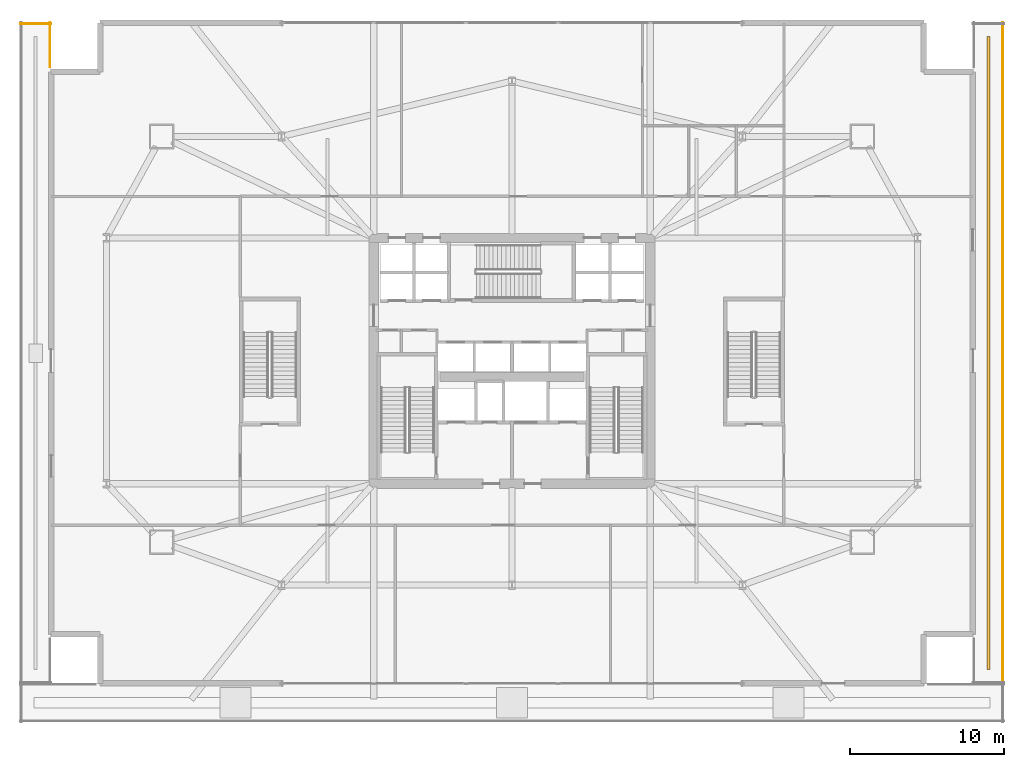
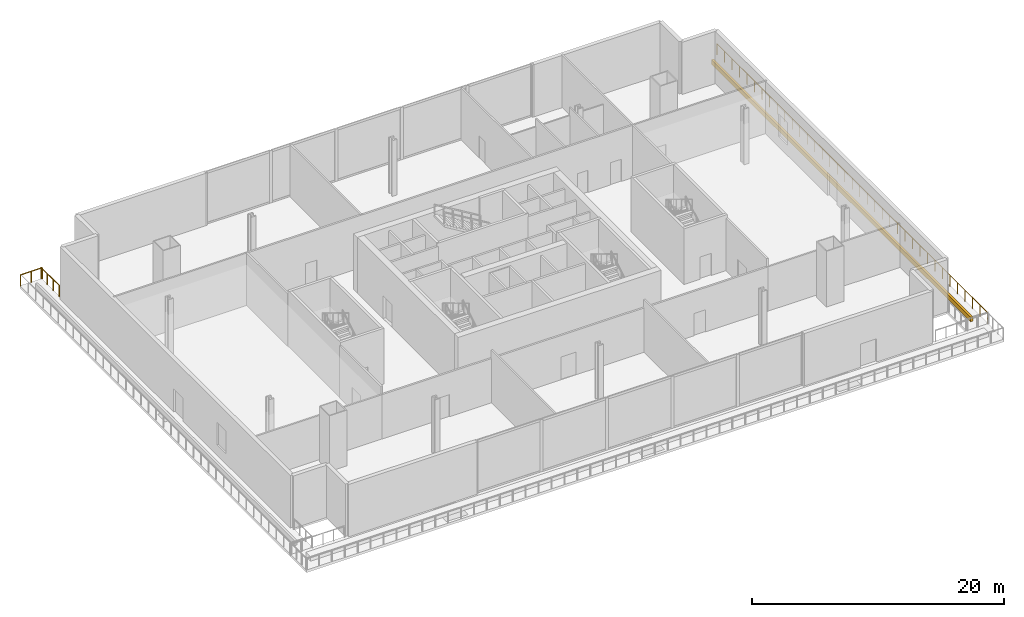
# One storey, part 19 of 20: 3 railings, 1 covering.
"""IFC4 building model written with IfcOpenShell, lengths in metres."""

import ifcopenshell
import ifcopenshell.guid

model = None  # the IFC model being written
_history = None  # IfcOwnerHistory: only IFC2X3 demands one
_inside = {}  # id of a spatial element -> (the spatial element, [elements in it])
_under = {}  # id of a project, library or spatial element -> (it, [spatial elements below it])
_declared = {}  # id of a project -> (the project, [libraries it declares])
_typed = {}  # id of a type object -> (the type object, [elements of that type])
_made_of = {}  # id of a material, layer set ... -> (it, [elements and type objects made of it])


def new_model(schema):
    """Start an empty IFC model of exactly this schema.

    Asked for "IFC4X3", IfcOpenShell would pick the latest addendum, in which some entities
    have other attributes; the version numbers below select the first issue.
    IFC2X3 requires an IfcOwnerHistory on every rooted entity: one is made here for all.
    """
    global model, _history
    if schema == "IFC4X3":
        model = ifcopenshell.file(schema_version=(4, 3, 0, 0))
    else:
        model = ifcopenshell.file(schema=schema)
    _inside.clear()
    _under.clear()
    _declared.clear()
    _typed.clear()
    _made_of.clear()
    _history = None
    if model.schema == "IFC2X3":
        org = make("IfcOrganization", Name="unknown")
        user = make(
            "IfcPersonAndOrganization",
            ThePerson=make("IfcPerson", FamilyName="unknown"),
            TheOrganization=org,
        )
        app = make(
            "IfcApplication",
            ApplicationDeveloper=org,
            Version="unknown",
            ApplicationFullName="unknown",
            ApplicationIdentifier="unknown",
        )
        _history = make(
            "IfcOwnerHistory",
            OwningUser=user,
            OwningApplication=app,
            ChangeAction="ADDED",
            CreationDate=0,
        )
    return model


def make(cls, **values):
    """One entity of the class cls with the attributes given. An attribute that is None is left unset."""
    return model.create_entity(
        cls, **{name: value for name, value in values.items() if value is not None}
    )


def rooted(cls, **values):
    """An entity with a GlobalId (a new one), such as an element, a storey or a relation."""
    return make(cls, GlobalId=ifcopenshell.guid.new(), OwnerHistory=_history, **values)


def si_unit(unit_type, name, prefix=None):
    """IfcSIUnit, for example si_unit("LENGTHUNIT", "METRE", prefix="MILLI")."""
    return make("IfcSIUnit", UnitType=unit_type, Prefix=prefix, Name=name)


def assignment(units):
    """IfcUnitAssignment: the units of a project."""
    return None if units is None else make("IfcUnitAssignment", Units=units)


def point(xyz):
    """IfcCartesianPoint."""
    return None if xyz is None else make("IfcCartesianPoint", Coordinates=xyz)


def direction(xyz):
    """IfcDirection."""
    return None if xyz is None else make("IfcDirection", DirectionRatios=xyz)


def frame(location, z_axis=None, x_axis=None):
    """IfcAxis2Placement3D, a coordinate frame: its origin and axes. An axis left out is left unset."""
    return make(
        "IfcAxis2Placement3D",
        Location=point(location),
        Axis=direction(z_axis),
        RefDirection=direction(x_axis),
    )


def frame_2d(location, x_axis=None):
    """IfcAxis2Placement2D, a coordinate frame in the plane: its origin and x axis."""
    return make(
        "IfcAxis2Placement2D", Location=point(location), RefDirection=direction(x_axis)
    )


def origin():
    """The frame at (0, 0, 0) with its axes left unset."""
    return frame((0.0, 0.0, 0.0))


def origin_2d():
    """The frame at (0, 0) in the plane with its x axis left unset."""
    return frame_2d((0.0, 0.0))


def place(relative_to, where):
    """IfcLocalPlacement: puts the frame where relative to a parent placement (None: the world)."""
    return make(
        "IfcLocalPlacement", PlacementRelTo=relative_to, RelativePlacement=where
    )


def context(
    kind, dimensions, precision=None, world=None, true_north=None, identifier=None
):
    """IfcGeometricRepresentationContext, for example the 3D "Model" context."""
    return make(
        "IfcGeometricRepresentationContext",
        ContextIdentifier=identifier,
        ContextType=kind,
        CoordinateSpaceDimension=dimensions,
        Precision=precision,
        WorldCoordinateSystem=world,
        TrueNorth=true_north,
    )


def subcontext(parent, identifier, kind, view, scale=None):
    """IfcGeometricRepresentationSubContext, for example "Body" below "Model"."""
    return make(
        "IfcGeometricRepresentationSubContext",
        ContextIdentifier=identifier,
        ContextType=kind,
        ParentContext=parent,
        TargetScale=scale,
        TargetView=view,
    )


def project(units=None, contexts=None):
    """IfcProject with its units and contexts."""
    return rooted(
        "IfcProject",
        Name="project",
        RepresentationContexts=contexts,
        UnitsInContext=assignment(units),
    )


def spatial(cls, under=None, at=None, **own):
    """A site, building, storey or space (cls), placed at a placement, below another one or the project."""
    s = rooted(cls, ObjectPlacement=at, **own)
    if under is not None:
        _under.setdefault(under.id(), (under, []))[1].append(s)
    return s


def polyline(points):
    """IfcPolyline through the points."""
    return make("IfcPolyline", Points=[point(p) for p in points])


def profile(cls, at=None, kind="AREA", **sizes):
    """A parametric profile (cls). Its sizes go by their IFC names, for example OverallWidth=200.0."""
    return make(cls, ProfileType=kind, Position=at, **sizes)


def rectangle(**sizes):
    """IfcRectangleProfileDef."""
    return profile("IfcRectangleProfileDef", **sizes)


def outline(outer, holes=None, kind="AREA"):
    """IfcArbitraryClosedProfileDef: a profile drawn as a closed curve; with holes, ...WithVoids."""
    if holes is None:
        return make("IfcArbitraryClosedProfileDef", ProfileType=kind, OuterCurve=outer)
    return make(
        "IfcArbitraryProfileDefWithVoids",
        ProfileType=kind,
        OuterCurve=outer,
        InnerCurves=holes,
    )


def extrude(swept, where, along, depth):
    """IfcExtrudedAreaSolid: the profile swept, set in the frame where, extruded along a direction by depth."""
    return make(
        "IfcExtrudedAreaSolid",
        SweptArea=swept,
        Position=where,
        ExtrudedDirection=direction(along),
        Depth=depth,
    )


def shape(context_of_items, identifier, shape_type, items):
    """IfcShapeRepresentation: the items that make up one representation, for example the "Body"."""
    return make(
        "IfcShapeRepresentation",
        ContextOfItems=context_of_items,
        RepresentationIdentifier=identifier,
        RepresentationType=shape_type,
        Items=items,
    )


def material(Name=None, Category=None):
    """IfcMaterial."""
    return make("IfcMaterial", Name=Name, Category=Category)


def layer(
    of_material, thickness, ventilated=None, Name=None, Category=None, Priority=None
):
    """IfcMaterialLayer: one layer of a wall or slab, of a material (None: an air gap)."""
    return make(
        "IfcMaterialLayer",
        Material=of_material,
        LayerThickness=thickness,
        IsVentilated=ventilated,
        Name=Name,
        Category=Category,
        Priority=Priority,
    )


def layer_set(layers, Name=None):
    """IfcMaterialLayerSet."""
    return make("IfcMaterialLayerSet", MaterialLayers=layers, LayerSetName=Name)


def made_of(thing, what):
    """Note that an element or type object is made of a material, layer set ...; save() writes the relation."""
    if what is not None:
        _made_of.setdefault(what.id(), (what, []))[1].append(thing)
    return thing


def type_object(cls, material=None, **own):
    """A type object (cls), such as IfcWallType, which elements share."""
    return made_of(rooted(cls, **own), material)


def element(
    cls,
    number,
    at=None,
    inside=None,
    cuts=None,
    type_object=None,
    material=None,
    context=None,
    identifier="Body",
    shape_type=None,
    held_by="IfcProductDefinitionShape",
    body=None,
    shapes=None,
    **own,
):
    """One element of the class cls, such as IfcWall. Its Tag is "e" and its number.

    at: its placement. inside: the storey or other place that contains it. cuts: it is an
    opening in that element (IfcRelVoidsElement). A single representation is given by context,
    identifier, shape_type and body (its items); several are given by shapes. held_by: the class
    of the entity that holds the representations. save() writes the other relations.
    """
    e = rooted(cls, Tag="e%d" % number, ObjectPlacement=at, **own)
    if body is not None:
        shapes = [shape(context, identifier, shape_type, body)]
    if shapes is not None:
        e.Representation = make(held_by, Representations=shapes)
    if inside is not None:
        _inside.setdefault(inside.id(), (inside, []))[1].append(e)
    if cuts is not None:
        rooted(
            "IfcRelVoidsElement", RelatingBuildingElement=cuts, RelatedOpeningElement=e
        )
    if type_object is not None:
        _typed.setdefault(type_object.id(), (type_object, []))[1].append(e)
    return made_of(e, material)


def aggregate(whole, parts):
    """IfcRelAggregates: a whole, such as a stair, and the parts it consists of."""
    return rooted("IfcRelAggregates", RelatingObject=whole, RelatedObjects=parts)


def save(model, path):
    """Write the relations noted so far, then the file.

    IfcRelAggregates (storeys below a building ...), IfcRelContainedInSpatialStructure (elements
    in a storey), IfcRelDefinesByType, IfcRelAssociatesMaterial and IfcRelDeclares: one each for
    every whole, place, type object, material and project.
    """
    for whole, parts in _under.values():
        aggregate(whole, parts)
    for where, things in _inside.values():
        rooted(
            "IfcRelContainedInSpatialStructure",
            RelatedElements=things,
            RelatingStructure=where,
        )
    for kind, things in _typed.values():
        rooted("IfcRelDefinesByType", RelatedObjects=things, RelatingType=kind)
    for what, things in _made_of.values():
        rooted("IfcRelAssociatesMaterial", RelatedObjects=things, RelatingMaterial=what)
    for by, libraries in _declared.values():
        rooted("IfcRelDeclares", RelatingContext=by, RelatedDefinitions=libraries)
    model.write(path)


model = new_model("IFC4")

# Units and contexts
model_context = context("Model", 3, precision=1e-05, world=origin(), true_north=direction((0.0, 1.0)))
body_context = subcontext(model_context, "Body", "Model", "MODEL_VIEW")
ifc_project = project(units=[si_unit("LENGTHUNIT", "METRE"), si_unit("AREAUNIT", "SQUARE_METRE"), si_unit("VOLUMEUNIT", "CUBIC_METRE"), si_unit("PLANEANGLEUNIT", "RADIAN"), si_unit("MASSUNIT", "GRAM", prefix="KILO")], contexts=[model_context])

# Site, building, storey
site_placement = place(None, origin())
site = spatial("IfcSite", under=ifc_project, at=site_placement, CompositionType="ELEMENT")
building_placement = place(site_placement, origin())
building = spatial("IfcBuilding", under=site, at=building_placement, Name="Haldenkirk Collegiate Tower", CompositionType="ELEMENT")
storey_placement = place(building_placement, frame((0.0, 0.0, 6.0)))
storey = spatial("IfcBuildingStorey", under=building, at=storey_placement, Name="L01", CompositionType="ELEMENT", Elevation=6.0)

# Covering
ifc_material_1 = material(Name="Precast concrete f'c 40 MPa", Category="concrete")
ifc_layer = layer(ifc_material_1, 0.449951171875)
ifc_layer_set = layer_set([ifc_layer], Name="Precast concrete f'c 40 MPa")
covering_type = type_object("IfcCoveringType", Name="COV-PLANTER-450", PredefinedType="USERDEFINED", material=ifc_layer_set)
covering_placement = place(storey_placement, origin())
element("IfcCovering", 1, at=covering_placement, inside=storey, type_object=covering_type, Name="L01 planted garden planter bed", ObjectType="PLANTER", PredefinedType="USERDEFINED", context=body_context, shape_type="SweptSolid", body=[
    extrude(outline(polyline([(66.89990234375, 5.89990234375), (66.89990234375, 47.10009765625), (67.10009765625, 47.10009765625), (67.10009765625, 5.89990234375), (66.89990234375, 5.89990234375)])), origin(), (0.0, 0.0, 1.0), 0.449951171875),
])

# Railings
ifc_material_2 = material(Name="Anodised architectural bronze aluminium", Category="aluminium")
railing_type = type_object("IfcRailingType", Name="RLG-TERR-BALUSTRADE-1100", PredefinedType="BALUSTRADE", material=ifc_material_2)
railing_1_placement = place(storey_placement, frame((5.93994140625, 45.1201171875, 0.0)))
element("IfcRailing", 2, at=railing_1_placement, inside=storey, type_object=railing_type, Name="L01 terrace guard balustrade 2-2", PredefinedType="BALUSTRADE", context=body_context, shape_type="SweptSolid", body=[
    extrude(rectangle(XDim=0.048095703125, YDim=0.048095703125, at=origin_2d()), frame((0.0, 0.0, 1.076171875), z_axis=(0.0, 1.0, 0.0), x_axis=(-1.0, 0.0, 0.0)), (0.0, 0.0, 1.0), 2.8798828125),
    extrude(rectangle(XDim=0.0419921875, YDim=0.0419921875, at=origin_2d()), origin(), (0.0, 0.0, 1.0), 1.052001953125),
    extrude(rectangle(XDim=0.0419921875, YDim=0.0419921875, at=origin_2d()), frame((0.0, 0.9599609375, 0.0)), (0.0, 0.0, 1.0), 1.052001953125),
    extrude(rectangle(XDim=0.0419921875, YDim=0.0419921875, at=origin_2d()), frame((0.0, 1.919921875, 0.0)), (0.0, 0.0, 1.0), 1.052001953125),
    extrude(rectangle(XDim=0.0419921875, YDim=0.0419921875, at=origin_2d()), frame((0.0, 2.8798828125, 0.0)), (0.0, 0.0, 1.0), 1.052001953125),
])
railing_2_placement = place(storey_placement, frame((6.0, 47.93994140625, 0.0)))
element("IfcRailing", 3, at=railing_2_placement, inside=storey, type_object=railing_type, Name="L01 terrace guard balustrade 3-1", PredefinedType="BALUSTRADE", context=body_context, shape_type="SweptSolid", body=[
    extrude(rectangle(XDim=0.048095703125, YDim=0.048095703125, at=origin_2d()), frame((0.0, 0.0, 1.076171875), z_axis=(-1.0, 0.0, 0.0), x_axis=(0.0, -1.0, 0.0)), (0.0, 0.0, 1.0), 2.0),
    extrude(rectangle(XDim=0.0419921875, YDim=0.0419921875, at=origin_2d()), origin(), (0.0, 0.0, 1.0), 1.052001953125),
    extrude(rectangle(XDim=0.0419921875, YDim=0.0419921875, at=origin_2d()), frame((-1.0, 0.0, 0.0)), (0.0, 0.0, 1.0), 1.052001953125),
    extrude(rectangle(XDim=0.0419921875, YDim=0.0419921875, at=origin_2d()), frame((-2.0, 0.0, 0.0)), (0.0, 0.0, 1.0), 1.052001953125),
])
railing_3_placement = place(storey_placement, frame((67.93994140625, 5.0, 0.0)))
element("IfcRailing", 4, at=railing_3_placement, inside=storey, type_object=railing_type, Name="L01 terrace guard balustrade 2-1", PredefinedType="BALUSTRADE", context=body_context, shape_type="SweptSolid", body=[
    extrude(rectangle(XDim=0.048095703125, YDim=0.048095703125, at=origin_2d()), frame((0.0, 0.0, 1.076171875), z_axis=(0.0, 1.0, 0.0), x_axis=(-1.0, 0.0, 0.0)), (0.0, 0.0, 1.0), 43.0),
    extrude(rectangle(XDim=0.0419921875, YDim=0.0419921875, at=origin_2d()), origin(), (0.0, 0.0, 1.0), 1.052001953125),
    extrude(rectangle(XDim=0.0419921875, YDim=0.0419921875, at=origin_2d()), frame((0.0, 1.1943359375, 0.0)), (0.0, 0.0, 1.0), 1.052001953125),
    extrude(rectangle(XDim=0.0419921875, YDim=0.0419921875, at=origin_2d()), frame((0.0, 2.388916015625, 0.0)), (0.0, 0.0, 1.0), 1.052001953125),
    extrude(rectangle(XDim=0.0419921875, YDim=0.0419921875, at=origin_2d()), frame((0.0, 3.583251953125, 0.0)), (0.0, 0.0, 1.0), 1.052001953125),
    extrude(rectangle(XDim=0.0419921875, YDim=0.0419921875, at=origin_2d()), frame((0.0, 4.77783203125, 0.0)), (0.0, 0.0, 1.0), 1.052001953125),
    extrude(rectangle(XDim=0.0419921875, YDim=0.0419921875, at=origin_2d()), frame((0.0, 5.97216796875, 0.0)), (0.0, 0.0, 1.0), 1.052001953125),
    extrude(rectangle(XDim=0.0419921875, YDim=0.0419921875, at=origin_2d()), frame((0.0, 7.166748046875, 0.0)), (0.0, 0.0, 1.0), 1.052001953125),
    extrude(rectangle(XDim=0.0419921875, YDim=0.0419921875, at=origin_2d()), frame((0.0, 8.361083984375, 0.0)), (0.0, 0.0, 1.0), 1.052001953125),
    extrude(rectangle(XDim=0.0419921875, YDim=0.0419921875, at=origin_2d()), frame((0.0, 9.5556640625, 0.0)), (0.0, 0.0, 1.0), 1.052001953125),
    extrude(rectangle(XDim=0.0419921875, YDim=0.0419921875, at=origin_2d()), frame((0.0, 10.75, 0.0)), (0.0, 0.0, 1.0), 1.052001953125),
    extrude(rectangle(XDim=0.0419921875, YDim=0.0419921875, at=origin_2d()), frame((0.0, 11.9443359375, 0.0)), (0.0, 0.0, 1.0), 1.052001953125),
    extrude(rectangle(XDim=0.0419921875, YDim=0.0419921875, at=origin_2d()), frame((0.0, 13.138916015625, 0.0)), (0.0, 0.0, 1.0), 1.052001953125),
    extrude(rectangle(XDim=0.0419921875, YDim=0.0419921875, at=origin_2d()), frame((0.0, 14.333251953125, 0.0)), (0.0, 0.0, 1.0), 1.052001953125),
    extrude(rectangle(XDim=0.0419921875, YDim=0.0419921875, at=origin_2d()), frame((0.0, 15.52783203125, 0.0)), (0.0, 0.0, 1.0), 1.052001953125),
    extrude(rectangle(XDim=0.0419921875, YDim=0.0419921875, at=origin_2d()), frame((0.0, 16.72216796875, 0.0)), (0.0, 0.0, 1.0), 1.052001953125),
    extrude(rectangle(XDim=0.0419921875, YDim=0.0419921875, at=origin_2d()), frame((0.0, 17.916748046875, 0.0)), (0.0, 0.0, 1.0), 1.052001953125),
    extrude(rectangle(XDim=0.0419921875, YDim=0.0419921875, at=origin_2d()), frame((0.0, 19.111083984375, 0.0)), (0.0, 0.0, 1.0), 1.052001953125),
    extrude(rectangle(XDim=0.0419921875, YDim=0.0419921875, at=origin_2d()), frame((0.0, 20.3056640625, 0.0)), (0.0, 0.0, 1.0), 1.052001953125),
    extrude(rectangle(XDim=0.0419921875, YDim=0.0419921875, at=origin_2d()), frame((0.0, 21.5, 0.0)), (0.0, 0.0, 1.0), 1.052001953125),
    extrude(rectangle(XDim=0.0419921875, YDim=0.0419921875, at=origin_2d()), frame((0.0, 22.6943359375, 0.0)), (0.0, 0.0, 1.0), 1.052001953125),
    extrude(rectangle(XDim=0.0419921875, YDim=0.0419921875, at=origin_2d()), frame((0.0, 23.888916015625, 0.0)), (0.0, 0.0, 1.0), 1.052001953125),
    extrude(rectangle(XDim=0.0419921875, YDim=0.0419921875, at=origin_2d()), frame((0.0, 25.083251953125, 0.0)), (0.0, 0.0, 1.0), 1.052001953125),
    extrude(rectangle(XDim=0.0419921875, YDim=0.0419921875, at=origin_2d()), frame((0.0, 26.27783203125, 0.0)), (0.0, 0.0, 1.0), 1.052001953125),
    extrude(rectangle(XDim=0.0419921875, YDim=0.0419921875, at=origin_2d()), frame((0.0, 27.47216796875, 0.0)), (0.0, 0.0, 1.0), 1.052001953125),
    extrude(rectangle(XDim=0.0419921875, YDim=0.0419921875, at=origin_2d()), frame((0.0, 28.666748046875, 0.0)), (0.0, 0.0, 1.0), 1.052001953125),
    extrude(rectangle(XDim=0.0419921875, YDim=0.0419921875, at=origin_2d()), frame((0.0, 29.861083984375, 0.0)), (0.0, 0.0, 1.0), 1.052001953125),
    extrude(rectangle(XDim=0.0419921875, YDim=0.0419921875, at=origin_2d()), frame((0.0, 31.0556640625, 0.0)), (0.0, 0.0, 1.0), 1.052001953125),
    extrude(rectangle(XDim=0.0419921875, YDim=0.0419921875, at=origin_2d()), frame((0.0, 32.25, 0.0)), (0.0, 0.0, 1.0), 1.052001953125),
    extrude(rectangle(XDim=0.0419921875, YDim=0.0419921875, at=origin_2d()), frame((0.0, 33.4443359375, 0.0)), (0.0, 0.0, 1.0), 1.052001953125),
    extrude(rectangle(XDim=0.0419921875, YDim=0.0419921875, at=origin_2d()), frame((0.0, 34.638916015625, 0.0)), (0.0, 0.0, 1.0), 1.052001953125),
    extrude(rectangle(XDim=0.0419921875, YDim=0.0419921875, at=origin_2d()), frame((0.0, 35.833251953125, 0.0)), (0.0, 0.0, 1.0), 1.052001953125),
    extrude(rectangle(XDim=0.0419921875, YDim=0.0419921875, at=origin_2d()), frame((0.0, 37.02783203125, 0.0)), (0.0, 0.0, 1.0), 1.052001953125),
    extrude(rectangle(XDim=0.0419921875, YDim=0.0419921875, at=origin_2d()), frame((0.0, 38.22216796875, 0.0)), (0.0, 0.0, 1.0), 1.052001953125),
    extrude(rectangle(XDim=0.0419921875, YDim=0.0419921875, at=origin_2d()), frame((0.0, 39.416748046875, 0.0)), (0.0, 0.0, 1.0), 1.052001953125),
    extrude(rectangle(XDim=0.0419921875, YDim=0.0419921875, at=origin_2d()), frame((0.0, 40.611083984375, 0.0)), (0.0, 0.0, 1.0), 1.052001953125),
    extrude(rectangle(XDim=0.0419921875, YDim=0.0419921875, at=origin_2d()), frame((0.0, 41.8056640625, 0.0)), (0.0, 0.0, 1.0), 1.052001953125),
    extrude(rectangle(XDim=0.0419921875, YDim=0.0419921875, at=origin_2d()), frame((0.0, 43.0, 0.0)), (0.0, 0.0, 1.0), 1.052001953125),
])

save(model, "model.ifc")
